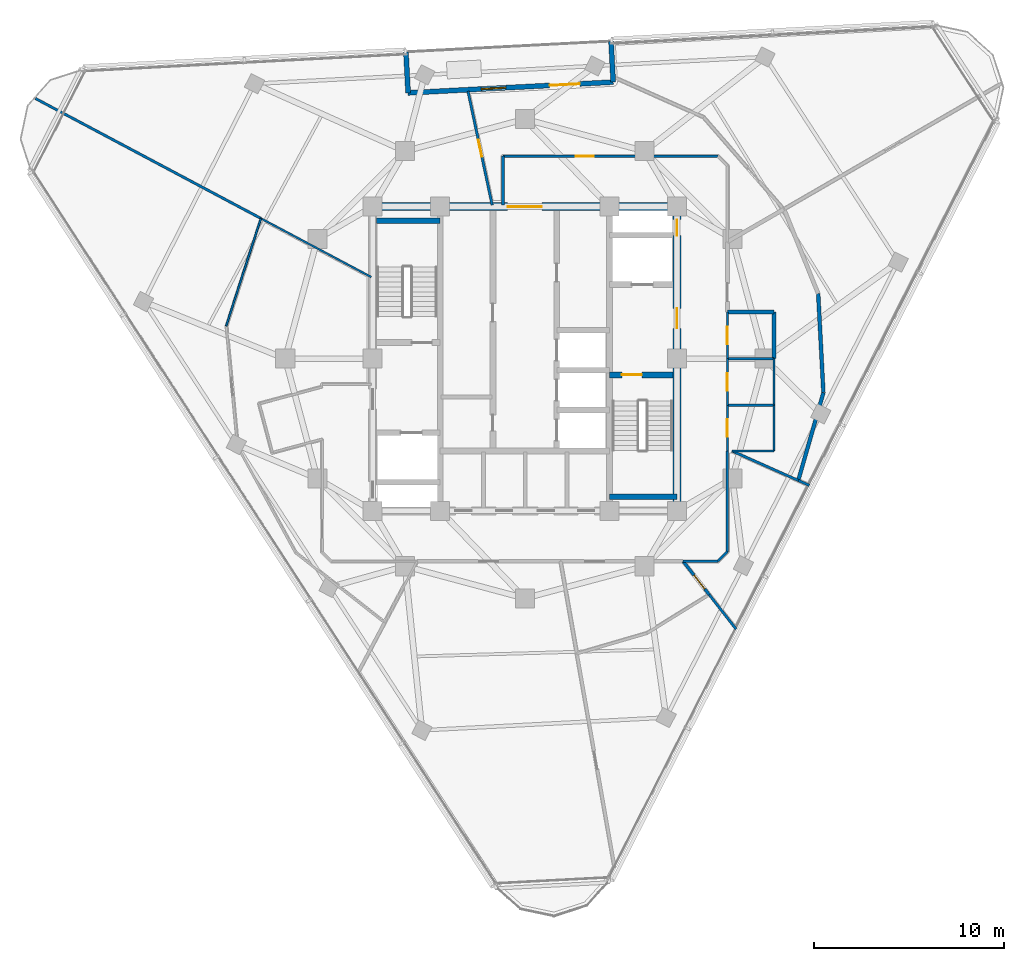
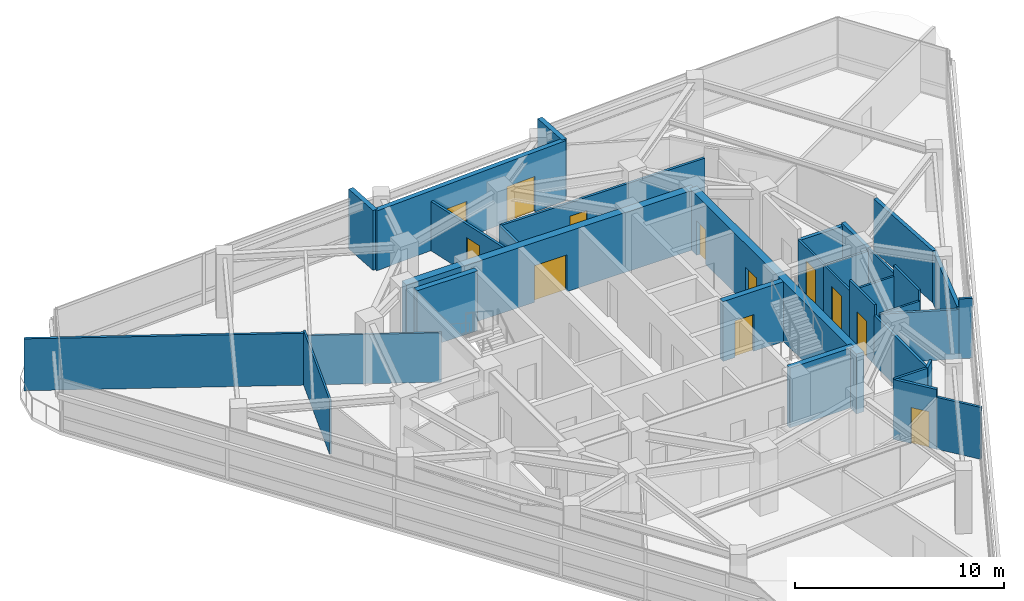
# One storey, part 9 of 15: 33 walls, 11 doors, 1 window, 12 openings.
"""IFC4 building model written with IfcOpenShell, lengths in metres."""

from ifc_helpers import new_model, si_unit, direction, frame, frame_2d, origin, place, context, subcontext, project, spatial, rectangle, extrude, material, layer, layer_set, type_object, element, fill, save


model = new_model("IFC4")

# Units and contexts
model_context = context("Model", 3, precision=1e-05, world=origin(), true_north=direction((0.0, 1.0)))
body_context = subcontext(model_context, "Body", "Model", "MODEL_VIEW")
ifc_project = project(units=[si_unit("LENGTHUNIT", "METRE"), si_unit("AREAUNIT", "SQUARE_METRE"), si_unit("VOLUMEUNIT", "CUBIC_METRE"), si_unit("PLANEANGLEUNIT", "RADIAN"), si_unit("MASSUNIT", "GRAM", prefix="KILO")], contexts=[model_context])

# Site, building, storey
site_placement = place(None, origin())
site = spatial("IfcSite", under=ifc_project, at=site_placement, CompositionType="ELEMENT")
building_placement = place(site_placement, origin())
building = spatial("IfcBuilding", under=site, at=building_placement, Name="Terralouvre Media Tower", CompositionType="ELEMENT")
storey_placement = place(building_placement, frame((0.0, 0.0, 270.699951171875)))
storey = spatial("IfcBuildingStorey", under=building, at=storey_placement, Name="L70", CompositionType="ELEMENT", Elevation=270.699951171875)

# Wall
ifc_material_1 = material(Name="Concrete C50/60", Category="concrete")
ifc_layer_1 = layer(ifc_material_1, 0.300048828125, Name="Core Internal Shaft Wall CW-300")
ifc_layer_set_1 = layer_set([ifc_layer_1], Name="Concrete C50/60")
wall_type_1 = type_object("IfcWallType", Name="Core Internal Shaft Wall CW-300", PredefinedType="SHEAR", material=ifc_layer_set_1)
wall_1_placement = place(storey_placement, frame((-7.7900390625, 7.260009765625, 0.0), z_axis=(0.0, 0.0, 1.0), x_axis=(1.0, 0.0, 0.0)))
element("IfcWall", 1, at=wall_1_placement, inside=storey, type_object=wall_type_1, Name="L70 Core Shaft Wall ST1F", PredefinedType="SHEAR", context=body_context, shape_type="SweptSolid", body=[
    extrude(rectangle(XDim=3.340087890625, YDim=0.300048828125, at=frame_2d((1.669921875, 0.0))), origin(), (0.0, 0.0, 1.0), 3.5),
])

# Wall, opening, door
wall_2_placement = place(storey_placement, frame((4.449951171875, -0.85009765625, 0.0), z_axis=(0.0, 0.0, 1.0), x_axis=(1.0, 0.0, 0.0)))
wall_2 = element("IfcWall", 2, at=wall_2_placement, inside=storey, type_object=wall_type_1, Name="L70 Core Shaft Wall ST2D", PredefinedType="SHEAR", context=body_context, shape_type="SweptSolid", body=[
    extrude(rectangle(XDim=3.340087890625, YDim=0.300048828125, at=frame_2d((1.669921875, 0.0))), origin(), (0.0, 0.0, 1.0), 3.5),
])
opening_1_placement = place(wall_2_placement, frame((0.64990234375, 0.0, 0.0)))
opening_1 = element("IfcOpeningElement", 3, at=opening_1_placement, cuts=wall_2, Name="Opening FD-01-105X215", PredefinedType="OPENING", context=body_context, shape_type="SweptSolid", body=[
    extrude(rectangle(XDim=1.050048828125, YDim=2.14990234375, at=frame_2d((0.52490234375, 1.074951171875))), frame((0.0, 0.159912109375, 0.0), z_axis=(0.0, -1.0, 0.0), x_axis=(1.0, 0.0, 0.0)), (0.0, 0.0, 1.0), 0.320068359375),
])
ifc_material_2 = material(Name="Galvanised steel fire-resisting leaf", Category="steel")
door_type_1 = type_object("IfcDoorType", Name="Stair and Firefighting Lobby Fire Door FD-01 (1050x2150)", OperationType="NOTDEFINED", PredefinedType="DOOR", material=ifc_material_2)
door_1_placement = place(opening_1_placement, origin())
door_1 = element("IfcDoor", 4, at=door_1_placement, inside=storey, type_object=door_type_1, Name="L70 ST-02 Exit Stair Door", OperationType="SINGLE_SWING_RIGHT", OverallHeight=2.14990234375, OverallWidth=1.050048828125, PredefinedType="DOOR", context=body_context, shape_type="SweptSolid", body=[
    extrude(rectangle(XDim=1.050048828125, YDim=2.14990234375, at=frame_2d((0.52490234375, 1.074951171875))), frame((0.0, 0.02490234375, 0.0), z_axis=(0.0, -1.0, 0.0), x_axis=(1.0, 0.0, 0.0)), (0.0, 0.0, 1.0), 0.050048828125),
])
fill(opening_1, door_1)

# Wall
wall_3_placement = place(storey_placement, frame((4.449951171875, -7.260009765625, 0.0), z_axis=(0.0, 0.0, 1.0), x_axis=(1.0, 0.0, 0.0)))
element("IfcWall", 5, at=wall_3_placement, inside=storey, type_object=wall_type_1, Name="L70 Core Shaft Wall ST2F", PredefinedType="SHEAR", context=body_context, shape_type="SweptSolid", body=[
    extrude(rectangle(XDim=3.550048828125, YDim=0.300048828125, at=frame_2d((1.77490234375, 0.0))), origin(), (0.0, 0.0, 1.0), 3.5),
])

# Wall, openings, doors
ifc_material_3 = material(Name="Concrete C60/75", Category="concrete")
ifc_layer_2 = layer(ifc_material_3, 0.419921875, Name="Core Reinforced Concrete Shear Wall CW-420")
ifc_layer_set_2 = layer_set([ifc_layer_2], Name="Concrete C60/75")
wall_type_2 = type_object("IfcWallType", Name="Core Reinforced Concrete Shear Wall CW-420", PredefinedType="SHEAR", material=ifc_layer_set_2)
wall_4_placement = place(storey_placement, frame((8.0, -8.0, 0.0), z_axis=(0.0, 0.0, 1.0), x_axis=(0.0, 1.0, 0.0)))
wall_4 = element("IfcWall", 6, at=wall_4_placement, inside=storey, type_object=wall_type_2, Name="L70 E Core Shear Wall", PredefinedType="SHEAR", context=body_context, shape_type="SweptSolid", body=[
    extrude(rectangle(XDim=16.0, YDim=0.419921875, at=frame_2d((8.0, 0.0))), origin(), (0.0, 0.0, 1.0), 3.5),
])
opening_2_placement = place(wall_4_placement, frame((9.60009765625, 0.0, 0.0)))
opening_2 = element("IfcOpeningElement", 7, at=opening_2_placement, cuts=wall_4, Name="Opening FD-01-105X215", PredefinedType="OPENING", context=body_context, shape_type="SweptSolid", body=[
    extrude(rectangle(XDim=1.050048828125, YDim=2.14990234375, at=frame_2d((0.52490234375, 1.074951171875))), frame((0.0, 0.219970703125, 0.0), z_axis=(0.0, -1.0, 0.0), x_axis=(1.0, 0.0, 0.0)), (0.0, 0.0, 1.0), 0.43994140625),
])
opening_3_placement = place(wall_4_placement, frame((14.468994140625, 0.0, 0.0)))
opening_3 = element("IfcOpeningElement", 8, at=opening_3_placement, cuts=wall_4, Name="Opening TD-R1", PredefinedType="OPENING", context=body_context, shape_type="SweptSolid", body=[
    extrude(rectangle(XDim=0.85009765625, YDim=2.02001953125, at=frame_2d((0.425048828125, 1.010009765625))), frame((0.0, 0.219970703125, 0.0), z_axis=(0.0, -1.0, 0.0), x_axis=(1.0, 0.0, 0.0)), (0.0, 0.0, 1.0), 0.43994140625),
])
ifc_material_4 = material(Name="Galvanised steel fire-resisting leaf", Category="steel")
door_type_2 = type_object("IfcDoorType", Name="Riser Inspection Access Trapdoor TD-R1", OperationType="NOTDEFINED", PredefinedType="TRAPDOOR", material=ifc_material_4)
door_2_placement = place(opening_3_placement, origin())
door_2 = element("IfcDoor", 9, at=door_2_placement, inside=storey, type_object=door_type_2, Name="L70 East Comms Riser Access Trapdoor", OperationType="SINGLE_SWING_RIGHT", OverallHeight=2.02001953125, OverallWidth=0.85009765625, PredefinedType="TRAPDOOR", context=body_context, shape_type="SweptSolid", body=[
    extrude(rectangle(XDim=0.85009765625, YDim=2.02001953125, at=frame_2d((0.425048828125, 1.010009765625))), frame((0.0, 0.02490234375, 0.0), z_axis=(0.0, -1.0, 0.0), x_axis=(1.0, 0.0, 0.0)), (0.0, 0.0, 1.0), 0.050048828125),
])
fill(opening_3, door_2)
door_3_placement = place(opening_2_placement, origin())
door_3 = element("IfcDoor", 10, at=door_3_placement, inside=storey, type_object=door_type_1, Name="L70 East Firefighting Lobby Entry Door", OperationType="SINGLE_SWING_LEFT", OverallHeight=2.14990234375, OverallWidth=1.050048828125, PredefinedType="DOOR", context=body_context, shape_type="SweptSolid", body=[
    extrude(rectangle(XDim=1.050048828125, YDim=2.14990234375, at=frame_2d((0.52490234375, 1.074951171875))), frame((0.0, 0.02490234375, 0.0), z_axis=(0.0, -1.0, 0.0), x_axis=(1.0, 0.0, 0.0)), (0.0, 0.0, 1.0), 0.050048828125),
])
fill(opening_2, door_3)

# Wall, opening, door
wall_5_placement = place(storey_placement, frame((-8.0, 8.0, 0.0), z_axis=(0.0, 0.0, 1.0), x_axis=(1.0, 0.0, 0.0)))
wall_5 = element("IfcWall", 11, at=wall_5_placement, inside=storey, type_object=wall_type_2, Name="L70 N Core Shear Wall", PredefinedType="SHEAR", context=body_context, shape_type="SweptSolid", body=[
    extrude(rectangle(XDim=16.0, YDim=0.419921875, at=frame_2d((8.0, 0.0))), origin(), (0.0, 0.0, 1.0), 3.5),
])
opening_4_placement = place(wall_5_placement, frame((7.10009765625, 0.0, 0.0)))
opening_4 = element("IfcOpeningElement", 12, at=opening_4_placement, cuts=wall_5, Name="Opening FD-03", PredefinedType="OPENING", context=body_context, shape_type="SweptSolid", body=[
    extrude(rectangle(XDim=1.800048828125, YDim=2.14990234375, at=frame_2d((0.89990234375, 1.074951171875))), frame((0.0, 0.219970703125, 0.0), z_axis=(0.0, -1.0, 0.0), x_axis=(1.0, 0.0, 0.0)), (0.0, 0.0, 1.0), 0.43994140625),
])
ifc_material_5 = material(Name="Galvanised steel fire-resisting leaf", Category="steel")
door_type_3 = type_object("IfcDoorType", Name="Corridor Smoke-Control Double Door FD-03", OperationType="DOUBLE_DOOR_SINGLE_SWING", PredefinedType="DOOR", material=ifc_material_5)
door_4_placement = place(opening_4_placement, origin())
door_4 = element("IfcDoor", 13, at=door_4_placement, inside=storey, type_object=door_type_3, Name="L70 Central Lift Lobby Portal Door", OperationType="DOUBLE_DOOR_SINGLE_SWING", OverallHeight=2.14990234375, OverallWidth=1.800048828125, PredefinedType="DOOR", context=body_context, shape_type="SweptSolid", body=[
    extrude(rectangle(XDim=1.800048828125, YDim=2.14990234375, at=frame_2d((0.89990234375, 1.074951171875))), frame((0.0, 0.02490234375, 0.0), z_axis=(0.0, -1.0, 0.0), x_axis=(1.0, 0.0, 0.0)), (0.0, 0.0, 1.0), 0.050048828125),
])
fill(opening_4, door_4)

# Walls
ifc_material_6 = material(Name="Low-iron laminated double glazing with solar-control coating", Category="glass")
ifc_layer_3 = layer(ifc_material_6, 0.10009765625, Name="Demountable Glazed Office Partition PT-GL100")
ifc_layer_set_3 = layer_set([ifc_layer_3], Name="Low-iron laminated double glazing with solar-control coating")
wall_type_3 = type_object("IfcWallType", Name="Demountable Glazed Office Partition PT-GL100", PredefinedType="MOVABLE", material=ifc_layer_set_3)
wall_6_placement = place(storey_placement, frame((-8.080078125, 4.2958984375, 0.0), z_axis=(0.0, 0.0, 1.0), x_axis=(-0.882977594756, 0.469415133074, 0.0)))
element("IfcWall", 14, at=wall_6_placement, inside=storey, type_object=wall_type_3, Name="L70 Interior Partition 022", PredefinedType="MOVABLE", context=body_context, shape_type="SweptSolid", body=[
    extrude(rectangle(XDim=6.56982421875, YDim=0.10009765625, at=frame_2d((3.284912109375, 0.0))), origin(), (0.0, 0.0, 1.0), 2.885009765625),
])
wall_7_placement = place(storey_placement, frame((-13.881103515625, 7.3798828125, 0.0), z_axis=(0.0, 0.0, 1.0), x_axis=(-0.306876830036, -0.951749237555, 0.0)))
element("IfcWall", 15, at=wall_7_placement, inside=storey, type_object=wall_type_3, Name="L70 Interior Partition 023", PredefinedType="MOVABLE", context=body_context, shape_type="SweptSolid", body=[
    extrude(rectangle(XDim=5.94677734375, YDim=0.10009765625, at=frame_2d((2.973388671875, 0.0))), origin(), (0.0, 0.0, 1.0), 3.18505859375),
])
ifc_material_7 = material(Name="Fire-rated gypsum board drywall partition")
ifc_layer_4 = layer(ifc_material_7, 0.199951171875, Name="Fire-Rated Shaft and Lobby Partition FW-200")
ifc_layer_set_4 = layer_set([ifc_layer_4], Name="Fire-rated gypsum board drywall partition")
wall_type_4 = type_object("IfcWallType", Name="Fire-Rated Shaft and Lobby Partition FW-200", PredefinedType="SOLIDWALL", material=ifc_layer_set_4)
wall_8_placement = place(storey_placement, frame((10.64990234375, 2.449951171875, 0.0), z_axis=(0.0, 0.0, 1.0), x_axis=(1.0, 0.0, 0.0)))
element("IfcWall", 16, at=wall_8_placement, inside=storey, type_object=wall_type_4, Name="L70 Interior Partition 041", PredefinedType="SOLIDWALL", context=body_context, shape_type="SweptSolid", body=[
    extrude(rectangle(XDim=2.4501953125, YDim=0.199951171875, at=frame_2d((1.22509765625, 0.0))), origin(), (0.0, 0.0, 1.0), 2.885009765625),
])
wall_9_placement = place(storey_placement, frame((13.10009765625, 2.449951171875, 0.0), z_axis=(0.0, 0.0, 1.0), x_axis=(0.0, -1.0, 0.0)))
element("IfcWall", 17, at=wall_9_placement, inside=storey, type_object=wall_type_4, Name="L70 Interior Partition 042", PredefinedType="SOLIDWALL", context=body_context, shape_type="SweptSolid", body=[
    extrude(rectangle(XDim=2.449951171875, YDim=0.199951171875, at=frame_2d((1.22509765625, 0.0))), origin(), (0.0, 0.0, 1.0), 3.03515625),
])
wall_10_placement = place(storey_placement, frame((14.3759765625, -6.40087890625, 0.0), z_axis=(0.0, 0.0, 1.0), x_axis=(0.275561163163, 0.961283540562, 0.0)))
element("IfcWall", 18, at=wall_10_placement, inside=storey, type_object=wall_type_4, Name="L70 Interior Partition 043", PredefinedType="SOLIDWALL", context=body_context, shape_type="SweptSolid", body=[
    extrude(rectangle(XDim=4.797607421875, YDim=0.199951171875, at=frame_2d((2.39892578125, 0.0))), origin(), (0.0, 0.0, 1.0), 3.03515625),
])
wall_11_placement = place(storey_placement, frame((15.697998046875, -1.7890625, 0.0), z_axis=(0.0, 0.0, 1.0), x_axis=(-0.052327910164, 0.998629956399, 0.0)))
element("IfcWall", 19, at=wall_11_placement, inside=storey, type_object=wall_type_4, Name="L70 Interior Partition 044", PredefinedType="SOLIDWALL", context=body_context, shape_type="SweptSolid", body=[
    extrude(rectangle(XDim=5.216064453125, YDim=0.199951171875, at=frame_2d((2.60791015625, 0.0))), origin(), (0.0, 0.0, 1.0), 3.03515625),
])
ifc_material_8 = material(Name="Fire-rated gypsum board drywall partition")
ifc_layer_5 = layer(ifc_material_8, 0.135009765625, Name="Newsroom Acoustic Partition PT-135")
ifc_layer_set_5 = layer_set([ifc_layer_5], Name="Fire-rated gypsum board drywall partition")
wall_type_5 = type_object("IfcWallType", Name="Newsroom Acoustic Partition PT-135", PredefinedType="PARTITIONING", material=ifc_layer_set_5)
wall_12_placement = place(storey_placement, frame((8.321044921875, -10.64990234375, 0.0), z_axis=(0.0, 0.0, 1.0), x_axis=(1.0, 0.0, 0.0)))
element("IfcWall", 20, at=wall_12_placement, inside=storey, type_object=wall_type_5, Name="L70 Interior Partition 010", PredefinedType="PARTITIONING", context=body_context, shape_type="SweptSolid", body=[
    extrude(rectangle(XDim=1.828857421875, YDim=0.135009765625, at=frame_2d((0.91455078125, 0.0))), origin(), (0.0, 0.0, 1.0), 3.5),
])
wall_13_placement = place(storey_placement, frame((10.14990234375, -10.64990234375, 0.0), z_axis=(0.0, 0.0, 1.0), x_axis=(0.707106781187, 0.707106781187, 0.0)))
element("IfcWall", 21, at=wall_13_placement, inside=storey, type_object=wall_type_5, Name="L70 Interior Partition 011", PredefinedType="PARTITIONING", context=body_context, shape_type="SweptSolid", body=[
    extrude(rectangle(XDim=0.70703125, YDim=0.135009765625, at=frame_2d((0.353515625, 0.0))), origin(), (0.0, 0.0, 1.0), 3.5),
])
wall_14_placement = place(storey_placement, frame((10.64990234375, -10.14990234375, 0.0), z_axis=(0.0, 0.0, 1.0), x_axis=(0.0, 1.0, 0.0)))
element("IfcWall", 22, at=wall_14_placement, inside=storey, type_object=wall_type_5, Name="L70 Interior Partition 012", PredefinedType="PARTITIONING", context=body_context, shape_type="SweptSolid", body=[
    extrude(rectangle(XDim=5.2998046875, YDim=0.135009765625, at=frame_2d((2.64990234375, 0.0))), origin(), (0.0, 0.0, 1.0), 2.885009765625),
])

# Wall, opening, door
wall_15_placement = place(storey_placement, frame((10.14990234375, 10.64990234375, 0.0), z_axis=(0.0, 0.0, 1.0), x_axis=(-1.0, 0.0, 0.0)))
wall_15 = element("IfcWall", 23, at=wall_15_placement, inside=storey, type_object=wall_type_5, Name="L70 Interior Partition 019", PredefinedType="PARTITIONING", context=body_context, shape_type="SweptSolid", body=[
    extrude(rectangle(XDim=11.2998046875, YDim=0.135009765625, at=frame_2d((5.64990234375, 0.0))), origin(), (0.0, 0.0, 1.0), 2.885009765625),
])
opening_5_placement = place(wall_15_placement, frame((6.531005859375, 0.0, 0.0)))
opening_5 = element("IfcOpeningElement", 24, at=opening_5_placement, cuts=wall_15, Name="Opening ID-02-95X210", PredefinedType="OPENING", context=body_context, shape_type="SweptSolid", body=[
    extrude(rectangle(XDim=0.949951171875, YDim=2.10009765625, at=frame_2d((0.47509765625, 1.050048828125))), frame((0.0, 0.077392578125, 0.0), z_axis=(0.0, -1.0, 0.0), x_axis=(1.0, 0.0, 0.0)), (0.0, 0.0, 1.0), 0.155029296875),
])
ifc_material_9 = material(Name="Engineered hardwood acoustic timber leaf", Category="wood")
door_type_4 = type_object("IfcDoorType", Name="Office and Meeting Room Door ID-02 (950x2100)", OperationType="NOTDEFINED", PredefinedType="DOOR", material=ifc_material_9)
door_5_placement = place(opening_5_placement, origin())
door_5 = element("IfcDoor", 25, at=door_5_placement, inside=storey, type_object=door_type_4, Name="L70 Acoustic Music Listening Room 9 Door", OperationType="SINGLE_SWING_LEFT", OverallHeight=2.10009765625, OverallWidth=0.949951171875, PredefinedType="DOOR", context=body_context, shape_type="SweptSolid", body=[
    extrude(rectangle(XDim=0.949951171875, YDim=2.10009765625, at=frame_2d((0.47509765625, 1.050048828125))), frame((0.0, 0.02490234375, 0.0), z_axis=(0.0, -1.0, 0.0), x_axis=(1.0, 0.0, 0.0)), (0.0, 0.0, 1.0), 0.050048828125),
])
fill(opening_5, door_5)

# Walls
wall_16_placement = place(storey_placement, frame((-1.14990234375, 10.64990234375, 0.0), z_axis=(0.0, 0.0, 1.0), x_axis=(0.0, -1.0, 0.0)))
element("IfcWall", 26, at=wall_16_placement, inside=storey, type_object=wall_type_5, Name="L70 Interior Partition 020", PredefinedType="PARTITIONING", context=body_context, shape_type="SweptSolid", body=[
    extrude(rectangle(XDim=2.56982421875, YDim=0.135009765625, at=frame_2d((1.284912109375, 0.0))), origin(), (0.0, 0.0, 1.0), 2.885009765625),
])
wall_17_placement = place(storey_placement, frame((11.1083984375, -14.21826171875, 0.0), z_axis=(0.0, 0.0, 1.0), x_axis=(-0.615736984334, 0.787951753677, 0.0)))
element("IfcWall", 27, at=wall_17_placement, inside=storey, type_object=wall_type_5, Name="L70 Interior Partition 032", PredefinedType="PARTITIONING", context=body_context, shape_type="SweptSolid", body=[
    extrude(rectangle(XDim=2.293701171875, YDim=0.135009765625, at=frame_2d((1.14697265625, 0.0))), origin(), (0.0, 0.0, 1.0), 3.03515625),
])
wall_18_placement = place(storey_placement, frame((14.3759765625, -6.40087890625, 0.0), z_axis=(0.0, 0.0, 1.0), x_axis=(-0.913536711347, 0.406756287009, 0.0)))
element("IfcWall", 28, at=wall_18_placement, inside=storey, type_object=wall_type_5, Name="L70 Interior Partition 034", PredefinedType="PARTITIONING", context=body_context, shape_type="SweptSolid", body=[
    extrude(rectangle(XDim=3.8125, YDim=0.135009765625, at=frame_2d((1.90625, 0.0))), origin(), (0.0, 0.0, 1.0), 2.885009765625),
])
wall_19_placement = place(storey_placement, frame((14.95947265625, -6.66015625, 0.0), z_axis=(0.0, 0.0, 1.0), x_axis=(-0.913843080804, 0.406067511219, 0.0)))
element("IfcWall", 29, at=wall_19_placement, inside=storey, type_object=wall_type_5, Name="L70 Interior Partition 035", PredefinedType="PARTITIONING", context=body_context, shape_type="SweptSolid", body=[
    extrude(rectangle(XDim=0.638427734375, YDim=0.135009765625, at=frame_2d((0.3193359375, 0.0))), origin(), (0.0, 0.0, 1.0), 3.5),
])

# Wall, opening, door
wall_20_placement = place(storey_placement, frame((-2.989501953125, 14.0654296875, 0.0), z_axis=(0.0, 0.0, 1.0), x_axis=(0.207910291146, -0.978147898242, 0.0)))
wall_20 = element("IfcWall", 30, at=wall_20_placement, inside=storey, type_object=wall_type_5, Name="L70 Interior Partition 050", PredefinedType="PARTITIONING", context=body_context, shape_type="SweptSolid", body=[
    extrude(rectangle(XDim=6.119140625, YDim=0.135009765625, at=frame_2d((3.0595703125, 0.0))), origin(), (0.0, 0.0, 1.0), 2.885009765625),
])
opening_6_placement = place(wall_20_placement, frame((2.599609375, 0.0, 0.0)))
opening_6 = element("IfcOpeningElement", 31, at=opening_6_placement, cuts=wall_20, Name="Opening ID-03-92X210", PredefinedType="OPENING", context=body_context, shape_type="SweptSolid", body=[
    extrude(rectangle(XDim=0.919921875, YDim=2.10009765625, at=frame_2d((0.4599609375, 1.050048828125))), frame((0.0, 0.077392578125, 0.0), z_axis=(0.0, -1.0, 0.0), x_axis=(1.0, 0.0, 0.0)), (0.0, 0.0, 1.0), 0.155029296875),
])
ifc_material_10 = material(Name="Engineered hardwood acoustic timber leaf", Category="wood")
door_type_5 = type_object("IfcDoorType", Name="Accessible Restroom and Suite Door ID-03 (920x2100)", OperationType="NOTDEFINED", PredefinedType="DOOR", material=ifc_material_10)
door_6_placement = place(opening_6_placement, origin())
door_6 = element("IfcDoor", 32, at=door_6_placement, inside=storey, type_object=door_type_5, Name="L70 Camera Lens Vault Store 10 Door", OperationType="SINGLE_SWING_LEFT", OverallHeight=2.10009765625, OverallWidth=0.919921875, PredefinedType="DOOR", context=body_context, shape_type="SweptSolid", body=[
    extrude(rectangle(XDim=0.919921875, YDim=2.10009765625, at=frame_2d((0.4599609375, 1.050048828125))), frame((0.0, 0.02490234375, 0.0), z_axis=(0.0, -1.0, 0.0), x_axis=(1.0, 0.0, 0.0)), (0.0, 0.0, 1.0), 0.050048828125),
])
fill(opening_6, door_6)

# Wall
wall_21_placement = place(storey_placement, frame((-25.73828125, 13.685302734375, 0.0), z_axis=(0.0, 0.0, 1.0), x_axis=(0.882921457353, -0.469520713222, 0.0)))
element("IfcWall", 33, at=wall_21_placement, inside=storey, type_object=wall_type_5, Name="L70 Interior Partition 051", PredefinedType="PARTITIONING", context=body_context, shape_type="SweptSolid", body=[
    extrude(rectangle(XDim=13.429443359375, YDim=0.135009765625, at=frame_2d((6.71484375, 0.0))), origin(), (0.0, 0.0, 1.0), 3.03515625),
])

# Wall, openings, window, door
ifc_material_11 = material(Name="Kiln-fired architectural terracotta rainscreen cladding", Category="masonry")
ifc_layer_6 = layer(ifc_material_11, 0.260009765625, Name="Recessed Sky-Garden Acoustic Wall EW-SG260")
ifc_layer_set_6 = layer_set([ifc_layer_6], Name="Kiln-fired architectural terracotta rainscreen cladding")
wall_type_6 = type_object("IfcWallType", Name="Recessed Sky-Garden Acoustic Wall EW-SG260", PredefinedType="SOLIDWALL", material=ifc_layer_set_6)
wall_22_placement = place(storey_placement, frame((4.64501953125, 14.545654296875, 0.0), z_axis=(0.0, 0.0, 1.0), x_axis=(-0.99862973094, -0.052332212675, 0.0)))
wall_22 = element("IfcWall", 34, at=wall_22_placement, inside=storey, type_object=wall_type_6, Name="L70 SG Recessed Loggia Back Wall", PredefinedType="SOLIDWALL", context=body_context, shape_type="SweptSolid", body=[
    extrude(rectangle(XDim=10.800048828125, YDim=0.260009765625, at=frame_2d((5.39990234375, 0.0))), origin(), (0.0, 0.0, 1.0), 3.5),
])
opening_7_placement = place(wall_22_placement, frame((1.75, 0.0, 0.0)))
opening_7 = element("IfcOpeningElement", 35, at=opening_7_placement, cuts=wall_22, Name="Opening TD-01", PredefinedType="OPENING", context=body_context, shape_type="SweptSolid", body=[
    extrude(rectangle(XDim=1.60009765625, YDim=2.080078125, at=frame_2d((0.800048828125, 1.0400390625))), frame((0.0, 0.139892578125, 0.0), z_axis=(0.0, -1.0, 0.0), x_axis=(1.0, 0.0, 0.0)), (0.0, 0.0, 1.0), 0.280029296875),
])
opening_8_placement = place(wall_22_placement, frame((5.64990234375, 0.0, 0.85009765625)))
opening_8 = element("IfcOpeningElement", 36, at=opening_8_placement, cuts=wall_22, Name="Opening W-03", PredefinedType="OPENING", context=body_context, shape_type="SweptSolid", body=[
    extrude(rectangle(XDim=1.300048828125, YDim=1.25, at=frame_2d((0.64990234375, 0.625))), frame((0.0, 0.139892578125, 0.0), z_axis=(0.0, -1.0, 0.0), x_axis=(1.0, 0.0, 0.0)), (0.0, 0.0, 1.0), 0.280029296875),
])
ifc_material_12 = material(Name="Low-iron laminated double glazing with solar-control coating", Category="glass")
window_type = type_object("IfcWindowType", Name="Sky-Garden Loggia Window W-03", PartitioningType="SINGLE_PANEL", PredefinedType="WINDOW", material=ifc_material_12)
window_placement = place(opening_8_placement, origin())
window = element("IfcWindow", 37, at=window_placement, inside=storey, type_object=window_type, Name="L70 Pocket Loggia Window 1", OverallHeight=1.25, OverallWidth=1.300048828125, PartitioningType="SINGLE_PANEL", PredefinedType="WINDOW", context=body_context, shape_type="SweptSolid", body=[
    extrude(rectangle(XDim=1.300048828125, YDim=1.25, at=frame_2d((0.64990234375, 0.625))), frame((0.0, 0.030029296875, 0.0), z_axis=(0.0, -1.0, 0.0), x_axis=(1.0, 0.0, 0.0)), (0.0, 0.0, 1.0), 0.06005859375),
])
fill(opening_8, window)
ifc_material_13 = material(Name="Anodised extruded aluminium 6063-T6", Category="aluminium")
door_type_6 = type_object("IfcDoorType", Name="Sky-Garden Terrace Double Door TD-01", OperationType="DOUBLE_DOOR_SLIDING", PredefinedType="DOOR", material=ifc_material_13)
door_7_placement = place(opening_7_placement, frame((1.60009765625, 0.0, 0.0), z_axis=(0.0, 0.0, 1.0), x_axis=(-1.0, 0.0, 0.0)))
door_7 = element("IfcDoor", 38, at=door_7_placement, inside=storey, type_object=door_type_6, Name="L70 Sky-Garden Terrace Door", OperationType="DOUBLE_DOOR_SLIDING", OverallHeight=2.080078125, OverallWidth=1.60009765625, PredefinedType="DOOR", context=body_context, shape_type="SweptSolid", body=[
    extrude(rectangle(XDim=1.60009765625, YDim=2.080078125, at=frame_2d((0.800048828125, 1.0400390625))), frame((0.0, 0.02490234375, 0.0), z_axis=(0.0, -1.0, 0.0), x_axis=(1.0, 0.0, 0.0)), (0.0, 0.0, 1.0), 0.050048828125),
])
fill(opening_7, door_7)

# Walls
for number, where, z_axis, x_axis, name in (
    (39, (4.532470703125, 16.692626953125, 0.0), (0.0, 0.0, 1.0), (0.052350224103, -0.998628786905, 0.0), "L70 SG Pocket Left Cheek Wall"),
    (40, (-6.14013671875, 13.98046875, 0.0), (0.0, 0.0, 1.0), (-0.052350224103, 0.998628786905, 0.0), "L70 SG Pocket Right Cheek Wall"),
):
    element("IfcWall", number, at=place(storey_placement, frame(where, z_axis=z_axis, x_axis=x_axis)), inside=storey, type_object=wall_type_6, Name=name, PredefinedType="SOLIDWALL", context=body_context, shape_type="SweptSolid", body=[
        extrude(rectangle(XDim=2.14990234375, YDim=0.260009765625, at=frame_2d((1.074951171875, 0.0))), origin(), (0.0, 0.0, 1.0), 3.5),
    ])

# Wall, opening, door
ifc_material_14 = material(Name="Fire-rated gypsum board drywall partition")
ifc_layer_7 = layer(ifc_material_14, 0.114990234375, Name="Restroom and Pantry Partition PT-115")
ifc_layer_set_7 = layer_set([ifc_layer_7], Name="Fire-rated gypsum board drywall partition")
wall_type_7 = type_object("IfcWallType", Name="Restroom and Pantry Partition PT-115", PredefinedType="PARTITIONING", material=ifc_layer_set_7)
wall_23_placement = place(storey_placement, frame((10.64990234375, -4.85009765625, 0.0), z_axis=(0.0, 0.0, 1.0), x_axis=(0.0, 1.0, 0.0)))
wall_23 = element("IfcWall", 41, at=wall_23_placement, inside=storey, type_object=wall_type_7, Name="L70 Interior Partition 013", PredefinedType="PARTITIONING", context=body_context, shape_type="SweptSolid", body=[
    extrude(rectangle(XDim=2.400146484375, YDim=0.114990234375, at=frame_2d((1.2001953125, 0.0))), origin(), (0.0, 0.0, 1.0), 3.5),
])
opening_9_placement = place(wall_23_placement, frame((0.739990234375, 0.0, 0.0)))
opening_9 = element("IfcOpeningElement", 42, at=opening_9_placement, cuts=wall_23, Name="Opening ID-03-92X210", PredefinedType="OPENING", context=body_context, shape_type="SweptSolid", body=[
    extrude(rectangle(XDim=0.919921875, YDim=2.10009765625, at=frame_2d((0.4599609375, 1.050048828125))), frame((0.0, 0.0673828125, 0.0), z_axis=(0.0, -1.0, 0.0), x_axis=(1.0, 0.0, 0.0)), (0.0, 0.0, 1.0), 0.135009765625),
])
door_8_placement = place(opening_9_placement, origin())
door_8 = element("IfcDoor", 43, at=door_8_placement, inside=storey, type_object=door_type_5, Name="L70 Male Restroom WC Door", OperationType="SINGLE_SWING_LEFT", OverallHeight=2.10009765625, OverallWidth=0.919921875, PredefinedType="DOOR", context=body_context, shape_type="SweptSolid", body=[
    extrude(rectangle(XDim=0.919921875, YDim=2.10009765625, at=frame_2d((0.4599609375, 1.050048828125))), frame((0.0, 0.02490234375, 0.0), z_axis=(0.0, -1.0, 0.0), x_axis=(1.0, 0.0, 0.0)), (0.0, 0.0, 1.0), 0.050048828125),
])
fill(opening_9, door_8)

wall_24_placement = place(storey_placement, frame((10.64990234375, -2.449951171875, 0.0), z_axis=(0.0, 0.0, 1.0), x_axis=(0.0, 1.0, 0.0)))
wall_24 = element("IfcWall", 44, at=wall_24_placement, inside=storey, type_object=wall_type_7, Name="L70 Interior Partition 014", PredefinedType="PARTITIONING", context=body_context, shape_type="SweptSolid", body=[
    extrude(rectangle(XDim=2.449951171875, YDim=0.114990234375, at=frame_2d((1.22509765625, 0.0))), origin(), (0.0, 0.0, 1.0), 2.885009765625),
])
opening_10_placement = place(wall_24_placement, frame((0.764892578125, 0.0, 0.0)))
opening_10 = element("IfcOpeningElement", 45, at=opening_10_placement, cuts=wall_24, Name="Opening ID-03-92X210", PredefinedType="OPENING", context=body_context, shape_type="SweptSolid", body=[
    extrude(rectangle(XDim=0.919921875, YDim=2.10009765625, at=frame_2d((0.4599609375, 1.050048828125))), frame((0.0, 0.0673828125, 0.0), z_axis=(0.0, -1.0, 0.0), x_axis=(1.0, 0.0, 0.0)), (0.0, 0.0, 1.0), 0.135009765625),
])
door_9_placement = place(opening_10_placement, origin())
door_9 = element("IfcDoor", 46, at=door_9_placement, inside=storey, type_object=door_type_5, Name="L70 Female Restroom WC Door", OperationType="SINGLE_SWING_RIGHT", OverallHeight=2.10009765625, OverallWidth=0.919921875, PredefinedType="DOOR", context=body_context, shape_type="SweptSolid", body=[
    extrude(rectangle(XDim=0.919921875, YDim=2.10009765625, at=frame_2d((0.4599609375, 1.050048828125))), frame((0.0, 0.02490234375, 0.0), z_axis=(0.0, -1.0, 0.0), x_axis=(1.0, 0.0, 0.0)), (0.0, 0.0, 1.0), 0.050048828125),
])
fill(opening_10, door_9)

wall_25_placement = place(storey_placement, frame((10.64990234375, 0.0, 0.0), z_axis=(0.0, 0.0, 1.0), x_axis=(0.0, 1.0, 0.0)))
wall_25 = element("IfcWall", 47, at=wall_25_placement, inside=storey, type_object=wall_type_7, Name="L70 Interior Partition 016", PredefinedType="PARTITIONING", context=body_context, shape_type="SweptSolid", body=[
    extrude(rectangle(XDim=2.449951171875, YDim=0.114990234375, at=frame_2d((1.22509765625, 0.0))), origin(), (0.0, 0.0, 1.0), 2.885009765625),
])
opening_11_placement = place(wall_25_placement, frame((0.764892578125, 0.0, 0.0)))
opening_11 = element("IfcOpeningElement", 48, at=opening_11_placement, cuts=wall_25, Name="Opening ID-03-92X210", PredefinedType="OPENING", context=body_context, shape_type="SweptSolid", body=[
    extrude(rectangle(XDim=0.919921875, YDim=2.10009765625, at=frame_2d((0.4599609375, 1.050048828125))), frame((0.0, 0.0673828125, 0.0), z_axis=(0.0, -1.0, 0.0), x_axis=(1.0, 0.0, 0.0)), (0.0, 0.0, 1.0), 0.135009765625),
])
door_10_placement = place(opening_11_placement, origin())
door_10 = element("IfcDoor", 49, at=door_10_placement, inside=storey, type_object=door_type_5, Name="L70 Accessible Unisex WC Door", OperationType="SINGLE_SWING_RIGHT", OverallHeight=2.10009765625, OverallWidth=0.919921875, PredefinedType="DOOR", context=body_context, shape_type="SweptSolid", body=[
    extrude(rectangle(XDim=0.919921875, YDim=2.10009765625, at=frame_2d((0.4599609375, 1.050048828125))), frame((0.0, 0.02490234375, 0.0), z_axis=(0.0, -1.0, 0.0), x_axis=(1.0, 0.0, 0.0)), (0.0, 0.0, 1.0), 0.050048828125),
])
fill(opening_11, door_10)

# Walls
wall_26_placement = place(storey_placement, frame((13.10009765625, -2.449951171875, 0.0), z_axis=(0.0, 0.0, 1.0), x_axis=(-1.0, 0.0, 0.0)))
element("IfcWall", 50, at=wall_26_placement, inside=storey, type_object=wall_type_7, Name="L70 Interior Partition 036", PredefinedType="PARTITIONING", context=body_context, shape_type="SweptSolid", body=[
    extrude(rectangle(XDim=2.4501953125, YDim=0.114990234375, at=frame_2d((1.22509765625, 0.0))), origin(), (0.0, 0.0, 1.0), 2.885009765625),
])
wall_27_placement = place(storey_placement, frame((10.89306640625, -4.85009765625, 0.0), z_axis=(0.0, 0.0, 1.0), x_axis=(1.0, 0.0, 0.0)))
element("IfcWall", 51, at=wall_27_placement, inside=storey, type_object=wall_type_7, Name="L70 Interior Partition 037", PredefinedType="PARTITIONING", context=body_context, shape_type="SweptSolid", body=[
    extrude(rectangle(XDim=2.20703125, YDim=0.114990234375, at=frame_2d((1.103515625, 0.0))), origin(), (0.0, 0.0, 1.0), 2.885009765625),
])
wall_28_placement = place(storey_placement, frame((13.10009765625, -4.85009765625, 0.0), z_axis=(0.0, 0.0, 1.0), x_axis=(0.0, 1.0, 0.0)))
element("IfcWall", 52, at=wall_28_placement, inside=storey, type_object=wall_type_7, Name="L70 Interior Partition 038", PredefinedType="PARTITIONING", context=body_context, shape_type="SweptSolid", body=[
    extrude(rectangle(XDim=2.400146484375, YDim=0.114990234375, at=frame_2d((1.2001953125, 0.0))), origin(), (0.0, 0.0, 1.0), 3.5),
])
wall_29_placement = place(storey_placement, frame((13.10009765625, -2.449951171875, 0.0), z_axis=(0.0, 0.0, 1.0), x_axis=(0.0, 1.0, 0.0)))
element("IfcWall", 53, at=wall_29_placement, inside=storey, type_object=wall_type_7, Name="L70 Interior Partition 039", PredefinedType="PARTITIONING", context=body_context, shape_type="SweptSolid", body=[
    extrude(rectangle(XDim=2.449951171875, YDim=0.114990234375, at=frame_2d((1.22509765625, 0.0))), origin(), (0.0, 0.0, 1.0), 3.03515625),
])
wall_30_placement = place(storey_placement, frame((13.10009765625, 0.0, 0.0), z_axis=(0.0, 0.0, 1.0), x_axis=(-1.0, 0.0, 0.0)))
element("IfcWall", 54, at=wall_30_placement, inside=storey, type_object=wall_type_7, Name="L70 Interior Partition 040", PredefinedType="PARTITIONING", context=body_context, shape_type="SweptSolid", body=[
    extrude(rectangle(XDim=2.4501953125, YDim=0.114990234375, at=frame_2d((1.22509765625, 0.0))), origin(), (0.0, 0.0, 1.0), 2.885009765625),
])

# Wall, opening, door
ifc_material_15 = material(Name="Fire-rated gypsum board drywall partition")
ifc_layer_8 = layer(ifc_material_15, 0.159912109375, Name="Studio Acoustic Rated Partition PT-160")
ifc_layer_set_8 = layer_set([ifc_layer_8], Name="Fire-rated gypsum board drywall partition")
wall_type_8 = type_object("IfcWallType", Name="Studio Acoustic Rated Partition PT-160", PredefinedType="PARTITIONING", material=ifc_layer_set_8)
wall_31_placement = place(storey_placement, frame((9.696044921875, -12.410888671875, 0.0), z_axis=(0.0, 0.0, 1.0), x_axis=(-0.615429845305, 0.788191668002, 0.0)))
wall_31 = element("IfcWall", 55, at=wall_31_placement, inside=storey, type_object=wall_type_8, Name="L70 Interior Partition 033", PredefinedType="PARTITIONING", context=body_context, shape_type="SweptSolid", body=[
    extrude(rectangle(XDim=2.234130859375, YDim=0.159912109375, at=frame_2d((1.1171875, 0.0))), origin(), (0.0, 0.0, 1.0), 3.5),
])
opening_12_placement = place(wall_31_placement, frame((0.388916015625, 0.0, 0.0)))
opening_12 = element("IfcOpeningElement", 56, at=opening_12_placement, cuts=wall_31, Name="Opening ID-03-92X210", PredefinedType="OPENING", context=body_context, shape_type="SweptSolid", body=[
    extrude(rectangle(XDim=0.919921875, YDim=2.10009765625, at=frame_2d((0.4599609375, 1.050048828125))), frame((0.0, 0.08984375, 0.0), z_axis=(0.0, -1.0, 0.0), x_axis=(1.0, 0.0, 0.0)), (0.0, 0.0, 1.0), 0.179931640625),
])
door_11_placement = place(opening_12_placement, origin())
door_11 = element("IfcDoor", 57, at=door_11_placement, inside=storey, type_object=door_type_5, Name="L70 Broadcast Floor Crew Room 5 Door", OperationType="SINGLE_SWING_LEFT", OverallHeight=2.10009765625, OverallWidth=0.919921875, PredefinedType="DOOR", context=body_context, shape_type="SweptSolid", body=[
    extrude(rectangle(XDim=0.919921875, YDim=2.10009765625, at=frame_2d((0.4599609375, 1.050048828125))), frame((0.0, 0.02490234375, 0.0), z_axis=(0.0, -1.0, 0.0), x_axis=(1.0, 0.0, 0.0)), (0.0, 0.0, 1.0), 0.050048828125),
])
fill(opening_12, door_11)

save(model, "model.ifc")
